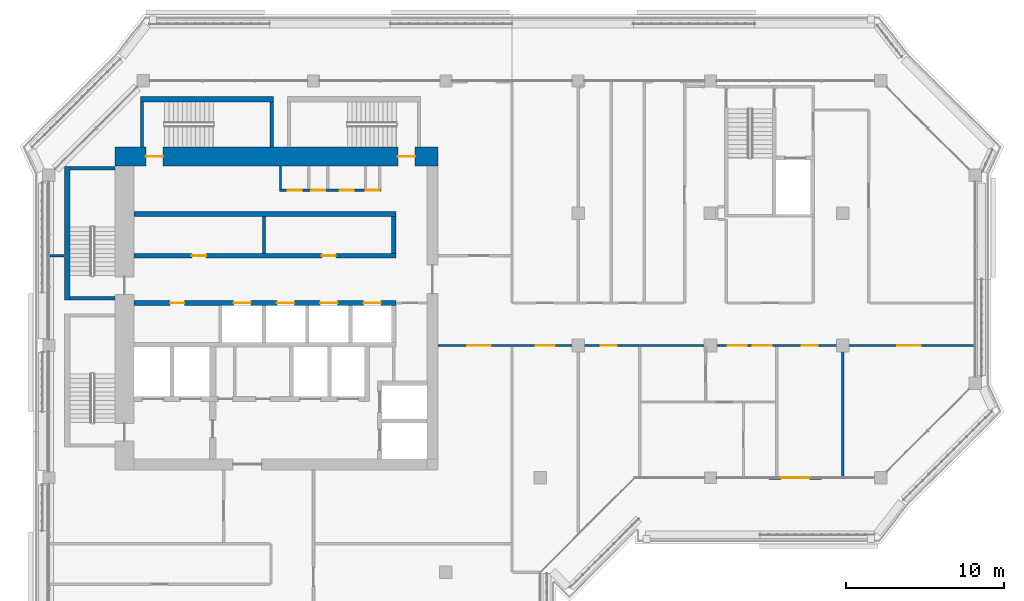
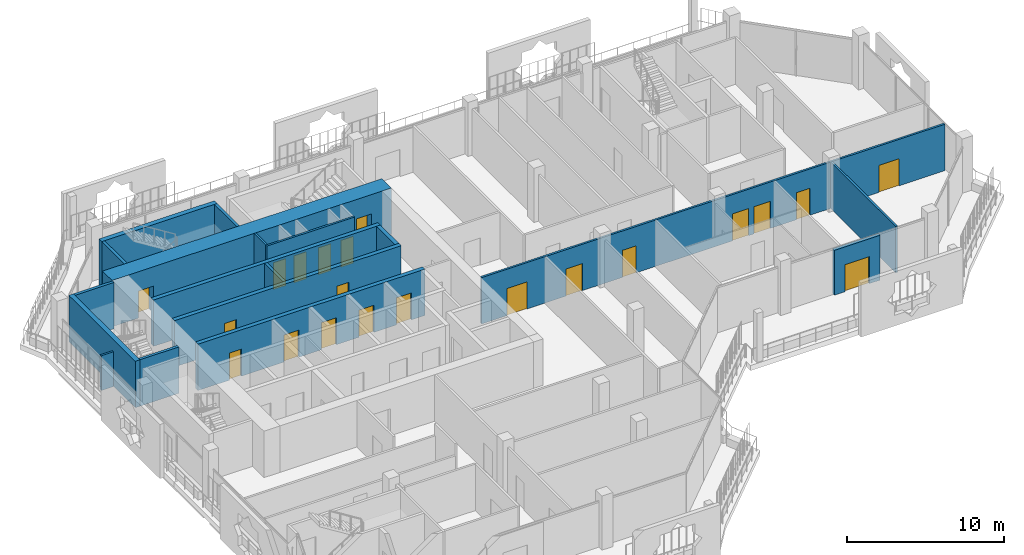
# One storey, part 12 of 21: 21 doors, 18 walls, 21 openings.
"""IFC4 building model written with IfcOpenShell, lengths in metres."""

from ifc_helpers import new_model, si_unit, direction, frame, frame_2d, origin, place, context, subcontext, project, spatial, rectangle, extrude, material, layer, layer_set, type_object, element, fill, save


model = new_model("IFC4")

# Units and contexts
model_context = context("Model", 3, precision=1e-05, world=origin(), true_north=direction((0.0, 1.0)))
body_context = subcontext(model_context, "Body", "Model", "MODEL_VIEW")
ifc_project = project(units=[si_unit("LENGTHUNIT", "METRE"), si_unit("AREAUNIT", "SQUARE_METRE"), si_unit("VOLUMEUNIT", "CUBIC_METRE"), si_unit("PLANEANGLEUNIT", "RADIAN"), si_unit("MASSUNIT", "GRAM", prefix="KILO")], contexts=[model_context])

# Site, building, storey
site_placement = place(None, origin())
site = spatial("IfcSite", under=ifc_project, at=site_placement, CompositionType="ELEMENT")
building_placement = place(site_placement, origin())
building = spatial("IfcBuilding", under=site, at=building_placement, Name="Kawkab Arch Medical Tower", CompositionType="ELEMENT")
storey_placement = place(building_placement, frame((0.0, 0.0, 319.60009765625)))
storey = spatial("IfcBuildingStorey", under=building, at=storey_placement, Name="L74", CompositionType="ELEMENT", Elevation=319.60009765625)

# Wall, openings, doors
ifc_material_1 = material(Name="Concrete C50/60", Category="concrete")
ifc_layer_1 = layer(ifc_material_1, 1.199951171875)
ifc_layer_set_1 = layer_set([ifc_layer_1], Name="Concrete C50/60")
wall_type_1 = type_object("IfcWallType", Name="Core ring wall 1200 C50/60", PredefinedType="SHEAR", material=ifc_layer_set_1)
wall_1_placement = place(storey_placement, frame((4.199951171875, -4.800048828125, 0.0), z_axis=(0.0, 0.0, 1.0), x_axis=(1.0, 0.0, 0.0)))
wall_1 = element("IfcWall", 1, at=wall_1_placement, inside=storey, type_object=wall_type_1, Name="L74 core wall", PredefinedType="SHEAR", context=body_context, shape_type="SweptSolid", body=[
    extrude(rectangle(XDim=20.5, YDim=1.199951171875, at=frame_2d((10.25, 0.0))), origin(), (0.0, 0.0, 1.0), 3.599853515625),
])
opening_1_placement = place(wall_1_placement, frame((1.949951171875, 0.0, 0.0)))
opening_1 = element("IfcOpeningElement", 2, at=opening_1_placement, cuts=wall_1, Name="Opening SD", PredefinedType="OPENING", context=body_context, shape_type="SweptSolid", body=[
    extrude(rectangle(XDim=1.10009765625, YDim=2.10009765625, at=frame_2d((0.550048828125, 1.050048828125))), frame((0.0, 0.60986328125, 0.0), z_axis=(0.0, -1.0, 0.0), x_axis=(1.0, 0.0, 0.0)), (0.0, 0.0, 1.0), 1.219970703125),
])
opening_2_placement = place(wall_1_placement, frame((17.949951171875, 0.0, 0.0)))
opening_2 = element("IfcOpeningElement", 3, at=opening_2_placement, cuts=wall_1, Name="Opening SD", PredefinedType="OPENING", context=body_context, shape_type="SweptSolid", body=[
    extrude(rectangle(XDim=1.10009765625, YDim=2.10009765625, at=frame_2d((0.550048828125, 1.050048828125))), frame((0.0, 0.60986328125, 0.0), z_axis=(0.0, -1.0, 0.0), x_axis=(1.0, 0.0, 0.0)), (0.0, 0.0, 1.0), 1.219970703125),
])
ifc_material_2 = material(Name="Hollow metal fire door leaf")
door_type_1 = type_object("IfcDoorType", Name="Exit stair door 1100", OperationType="SINGLE_SWING_LEFT", PredefinedType="DOOR", material=ifc_material_2)
door_1_placement = place(opening_1_placement, origin())
door_1 = element("IfcDoor", 4, at=door_1_placement, inside=storey, type_object=door_type_1, Name="L74 Exit stair ST3 door", OperationType="SINGLE_SWING_LEFT", OverallHeight=2.10009765625, OverallWidth=1.10009765625, PredefinedType="DOOR", context=body_context, shape_type="SweptSolid", body=[
    extrude(rectangle(XDim=1.10009765625, YDim=2.10009765625, at=frame_2d((0.550048828125, 1.050048828125))), frame((0.0, 0.02490234375, 0.0), z_axis=(0.0, -1.0, 0.0), x_axis=(1.0, 0.0, 0.0)), (0.0, 0.0, 1.0), 0.050048828125),
])
fill(opening_1, door_1)
door_2_placement = place(opening_2_placement, origin())
door_2 = element("IfcDoor", 5, at=door_2_placement, inside=storey, type_object=door_type_1, Name="L74 Exit stair ST4 door", OperationType="SINGLE_SWING_LEFT", OverallHeight=2.10009765625, OverallWidth=1.10009765625, PredefinedType="DOOR", context=body_context, shape_type="SweptSolid", body=[
    extrude(rectangle(XDim=1.10009765625, YDim=2.10009765625, at=frame_2d((0.550048828125, 1.050048828125))), frame((0.0, 0.02490234375, 0.0), z_axis=(0.0, -1.0, 0.0), x_axis=(1.0, 0.0, 0.0)), (0.0, 0.0, 1.0), 0.050048828125),
])
fill(opening_2, door_2)

ifc_material_3 = material(Name="Gypsum board on steel studs", Category="steel")
ifc_layer_2 = layer(ifc_material_3, 0.14990234375)
ifc_layer_set_2 = layer_set([ifc_layer_2], Name="Gypsum board on steel studs")
wall_type_2 = type_object("IfcWallType", Name="Core room partition 150", PredefinedType="PARTITIONING", material=ifc_layer_set_2)
wall_2_placement = place(storey_placement, frame((14.625, -6.949951171875, 0.0), z_axis=(0.0, 0.0, 1.0), x_axis=(1.0, 0.0, 0.0)))
wall_2 = element("IfcWall", 6, at=wall_2_placement, inside=storey, type_object=wall_type_2, Name="L74 core room partition", PredefinedType="PARTITIONING", context=body_context, shape_type="SweptSolid", body=[
    extrude(rectangle(XDim=6.449951171875, YDim=0.14990234375, at=frame_2d((3.22509765625, 0.0))), origin(), (0.0, 0.0, 1.0), 3.599853515625),
])
opening_3_placement = place(wall_2_placement, frame((0.52490234375, 0.0, 0.0)))
opening_3 = element("IfcOpeningElement", 7, at=opening_3_placement, cuts=wall_2, Name="Opening RD", PredefinedType="OPENING", context=body_context, shape_type="SweptSolid", body=[
    extrude(rectangle(XDim=0.89990234375, YDim=2.10009765625, at=frame_2d((0.449951171875, 1.050048828125))), frame((0.0, 0.0849609375, 0.0), z_axis=(0.0, -1.0, 0.0), x_axis=(1.0, 0.0, 0.0)), (0.0, 0.0, 1.0), 0.169921875),
])
opening_4_placement = place(wall_2_placement, frame((2.02490234375, 0.0, 0.0)))
opening_4 = element("IfcOpeningElement", 8, at=opening_4_placement, cuts=wall_2, Name="Opening RD", PredefinedType="OPENING", context=body_context, shape_type="SweptSolid", body=[
    extrude(rectangle(XDim=0.89990234375, YDim=2.10009765625, at=frame_2d((0.449951171875, 1.050048828125))), frame((0.0, 0.0849609375, 0.0), z_axis=(0.0, -1.0, 0.0), x_axis=(1.0, 0.0, 0.0)), (0.0, 0.0, 1.0), 0.169921875),
])
opening_5_placement = place(wall_2_placement, frame((3.824951171875, 0.0, 0.0)))
opening_5 = element("IfcOpeningElement", 9, at=opening_5_placement, cuts=wall_2, Name="Opening RD", PredefinedType="OPENING", context=body_context, shape_type="SweptSolid", body=[
    extrude(rectangle(XDim=0.89990234375, YDim=2.10009765625, at=frame_2d((0.449951171875, 1.050048828125))), frame((0.0, 0.0849609375, 0.0), z_axis=(0.0, -1.0, 0.0), x_axis=(1.0, 0.0, 0.0)), (0.0, 0.0, 1.0), 0.169921875),
])
opening_6_placement = place(wall_2_placement, frame((5.47509765625, 0.0, 0.0)))
opening_6 = element("IfcOpeningElement", 10, at=opening_6_placement, cuts=wall_2, Name="Opening RD", PredefinedType="OPENING", context=body_context, shape_type="SweptSolid", body=[
    extrude(rectangle(XDim=0.89990234375, YDim=2.10009765625, at=frame_2d((0.449951171875, 1.050048828125))), frame((0.0, 0.0849609375, 0.0), z_axis=(0.0, -1.0, 0.0), x_axis=(1.0, 0.0, 0.0)), (0.0, 0.0, 1.0), 0.169921875),
])
ifc_material_4 = material(Name="Hollow metal fire door leaf")
door_type_2 = type_object("IfcDoorType", Name="Core room door 900", OperationType="SINGLE_SWING_LEFT", PredefinedType="DOOR", material=ifc_material_4)
door_3_placement = place(opening_3_placement, origin())
door_3 = element("IfcDoor", 11, at=door_3_placement, inside=storey, type_object=door_type_2, Name="L74 Comms room door", OperationType="SINGLE_SWING_LEFT", OverallHeight=2.10009765625, OverallWidth=0.89990234375, PredefinedType="DOOR", context=body_context, shape_type="SweptSolid", body=[
    extrude(rectangle(XDim=0.89990234375, YDim=2.10009765625, at=frame_2d((0.449951171875, 1.050048828125))), frame((0.0, 0.02490234375, 0.0), z_axis=(0.0, -1.0, 0.0), x_axis=(1.0, 0.0, 0.0)), (0.0, 0.0, 1.0), 0.050048828125),
])
fill(opening_3, door_3)
door_4_placement = place(opening_4_placement, origin())
door_4 = element("IfcDoor", 12, at=door_4_placement, inside=storey, type_object=door_type_2, Name="L74 Electrical riser room door", OperationType="SINGLE_SWING_LEFT", OverallHeight=2.10009765625, OverallWidth=0.89990234375, PredefinedType="DOOR", context=body_context, shape_type="SweptSolid", body=[
    extrude(rectangle(XDim=0.89990234375, YDim=2.10009765625, at=frame_2d((0.449951171875, 1.050048828125))), frame((0.0, 0.02490234375, 0.0), z_axis=(0.0, -1.0, 0.0), x_axis=(1.0, 0.0, 0.0)), (0.0, 0.0, 1.0), 0.050048828125),
])
fill(opening_4, door_4)
door_5_placement = place(opening_5_placement, origin())
door_5 = element("IfcDoor", 13, at=door_5_placement, inside=storey, type_object=door_type_2, Name="L74 General store door", OperationType="SINGLE_SWING_LEFT", OverallHeight=2.10009765625, OverallWidth=0.89990234375, PredefinedType="DOOR", context=body_context, shape_type="SweptSolid", body=[
    extrude(rectangle(XDim=0.89990234375, YDim=2.10009765625, at=frame_2d((0.449951171875, 1.050048828125))), frame((0.0, 0.02490234375, 0.0), z_axis=(0.0, -1.0, 0.0), x_axis=(1.0, 0.0, 0.0)), (0.0, 0.0, 1.0), 0.050048828125),
])
fill(opening_5, door_5)
door_6_placement = place(opening_6_placement, origin())
door_6 = element("IfcDoor", 14, at=door_6_placement, inside=storey, type_object=door_type_2, Name="L74 UPS room door", OperationType="SINGLE_SWING_LEFT", OverallHeight=2.10009765625, OverallWidth=0.89990234375, PredefinedType="DOOR", context=body_context, shape_type="SweptSolid", body=[
    extrude(rectangle(XDim=0.89990234375, YDim=2.10009765625, at=frame_2d((0.449951171875, 1.050048828125))), frame((0.0, 0.02490234375, 0.0), z_axis=(0.0, -1.0, 0.0), x_axis=(1.0, 0.0, 0.0)), (0.0, 0.0, 1.0), 0.050048828125),
])
fill(opening_6, door_6)

# Walls
wall_3_placement = place(storey_placement, frame((14.699951171875, -6.875, 0.0), z_axis=(0.0, 0.0, 1.0), x_axis=(0.0, 1.0, 0.0)))
element("IfcWall", 15, at=wall_3_placement, inside=storey, type_object=wall_type_2, Name="L74 core room partition", PredefinedType="PARTITIONING", context=body_context, shape_type="SweptSolid", body=[
    extrude(rectangle(XDim=1.47509765625, YDim=0.14990234375, at=frame_2d((0.737548828125, 0.0))), origin(), (0.0, 0.0, 1.0), 3.599853515625),
])
ifc_material_5 = material(Name="Concrete C60/75", Category="concrete")
ifc_layer_3 = layer(ifc_material_5, 0.300048828125)
ifc_layer_set_3 = layer_set([ifc_layer_3], Name="Concrete C60/75")
wall_type_3 = type_object("IfcWallType", Name="Core shear wall 300 C60/75", PredefinedType="SHEAR", material=ifc_layer_set_3)
wall_4_placement = place(storey_placement, frame((5.39990234375, -8.449951171875, 0.0), z_axis=(0.0, 0.0, 1.0), x_axis=(1.0, 0.0, 0.0)))
element("IfcWall", 16, at=wall_4_placement, inside=storey, type_object=wall_type_3, Name="L74 core shear wall", PredefinedType="SHEAR", context=body_context, shape_type="SweptSolid", body=[
    extrude(rectangle(XDim=16.650146484375, YDim=0.300048828125, at=frame_2d((8.3251953125, 0.0))), origin(), (0.0, 0.0, 1.0), 3.599853515625),
])

# Wall, openings, doors
wall_5_placement = place(storey_placement, frame((5.39990234375, -11.10009765625, 0.0), z_axis=(0.0, 0.0, 1.0), x_axis=(1.0, 0.0, 0.0)))
wall_5 = element("IfcWall", 17, at=wall_5_placement, inside=storey, type_object=wall_type_3, Name="L74 core shear wall", PredefinedType="SHEAR", context=body_context, shape_type="SweptSolid", body=[
    extrude(rectangle(XDim=16.650146484375, YDim=0.300048828125, at=frame_2d((8.3251953125, 0.0))), origin(), (0.0, 0.0, 1.0), 3.599853515625),
])
opening_7_placement = place(wall_5_placement, frame((3.675048828125, 0.0, 0.0)))
opening_7 = element("IfcOpeningElement", 18, at=opening_7_placement, cuts=wall_5, Name="Opening RD", PredefinedType="OPENING", context=body_context, shape_type="SweptSolid", body=[
    extrude(rectangle(XDim=0.89990234375, YDim=2.10009765625, at=frame_2d((0.449951171875, 1.050048828125))), frame((0.0, 0.159912109375, 0.0), z_axis=(0.0, -1.0, 0.0), x_axis=(1.0, 0.0, 0.0)), (0.0, 0.0, 1.0), 0.320068359375),
])
opening_8_placement = place(wall_5_placement, frame((11.925048828125, 0.0, 0.0)))
opening_8 = element("IfcOpeningElement", 19, at=opening_8_placement, cuts=wall_5, Name="Opening RD", PredefinedType="OPENING", context=body_context, shape_type="SweptSolid", body=[
    extrude(rectangle(XDim=0.89990234375, YDim=2.10009765625, at=frame_2d((0.449951171875, 1.050048828125))), frame((0.0, 0.159912109375, 0.0), z_axis=(0.0, -1.0, 0.0), x_axis=(1.0, 0.0, 0.0)), (0.0, 0.0, 1.0), 0.320068359375),
])
door_7_placement = place(opening_7_placement, origin())
door_7 = element("IfcDoor", 20, at=door_7_placement, inside=storey, type_object=door_type_2, Name="L74 Equipment store door", OperationType="SINGLE_SWING_LEFT", OverallHeight=2.10009765625, OverallWidth=0.89990234375, PredefinedType="DOOR", context=body_context, shape_type="SweptSolid", body=[
    extrude(rectangle(XDim=0.89990234375, YDim=2.10009765625, at=frame_2d((0.449951171875, 1.050048828125))), frame((0.0, 0.02490234375, 0.0), z_axis=(0.0, -1.0, 0.0), x_axis=(1.0, 0.0, 0.0)), (0.0, 0.0, 1.0), 0.050048828125),
])
fill(opening_7, door_7)
door_8_placement = place(opening_8_placement, origin())
door_8 = element("IfcDoor", 21, at=door_8_placement, inside=storey, type_object=door_type_2, Name="L74 Clean utility room door", OperationType="SINGLE_SWING_LEFT", OverallHeight=2.10009765625, OverallWidth=0.89990234375, PredefinedType="DOOR", context=body_context, shape_type="SweptSolid", body=[
    extrude(rectangle(XDim=0.89990234375, YDim=2.10009765625, at=frame_2d((0.449951171875, 1.050048828125))), frame((0.0, 0.02490234375, 0.0), z_axis=(0.0, -1.0, 0.0), x_axis=(1.0, 0.0, 0.0)), (0.0, 0.0, 1.0), 0.050048828125),
])
fill(opening_8, door_8)

wall_6_placement = place(storey_placement, frame((5.39990234375, -14.10009765625, 0.0), z_axis=(0.0, 0.0, 1.0), x_axis=(1.0, 0.0, 0.0)))
wall_6 = element("IfcWall", 22, at=wall_6_placement, inside=storey, type_object=wall_type_3, Name="L74 core shear wall", PredefinedType="SHEAR", context=body_context, shape_type="SweptSolid", body=[
    extrude(rectangle(XDim=16.650146484375, YDim=0.300048828125, at=frame_2d((8.3251953125, 0.0))), origin(), (0.0, 0.0, 1.0), 3.599853515625),
])
opening_9_placement = place(wall_6_placement, frame((6.324951171875, 0.0, 0.0)))
opening_9 = element("IfcOpeningElement", 23, at=opening_9_placement, cuts=wall_6, Name="Opening LD1", PredefinedType="OPENING", context=body_context, shape_type="SweptSolid", body=[
    extrude(rectangle(XDim=1.10009765625, YDim=2.10009765625, at=frame_2d((0.550048828125, 1.050048828125))), frame((0.0, 0.159912109375, 0.0), z_axis=(0.0, -1.0, 0.0), x_axis=(1.0, 0.0, 0.0)), (0.0, 0.0, 1.0), 0.320068359375),
])
opening_10_placement = place(wall_6_placement, frame((9.074951171875, 0.0, 0.0)))
opening_10 = element("IfcOpeningElement", 24, at=opening_10_placement, cuts=wall_6, Name="Opening LD1", PredefinedType="OPENING", context=body_context, shape_type="SweptSolid", body=[
    extrude(rectangle(XDim=1.10009765625, YDim=2.10009765625, at=frame_2d((0.550048828125, 1.050048828125))), frame((0.0, 0.159912109375, 0.0), z_axis=(0.0, -1.0, 0.0), x_axis=(1.0, 0.0, 0.0)), (0.0, 0.0, 1.0), 0.320068359375),
])
opening_11_placement = place(wall_6_placement, frame((11.824951171875, 0.0, 0.0)))
opening_11 = element("IfcOpeningElement", 25, at=opening_11_placement, cuts=wall_6, Name="Opening LD1", PredefinedType="OPENING", context=body_context, shape_type="SweptSolid", body=[
    extrude(rectangle(XDim=1.10009765625, YDim=2.10009765625, at=frame_2d((0.550048828125, 1.050048828125))), frame((0.0, 0.159912109375, 0.0), z_axis=(0.0, -1.0, 0.0), x_axis=(1.0, 0.0, 0.0)), (0.0, 0.0, 1.0), 0.320068359375),
])
opening_12_placement = place(wall_6_placement, frame((14.574951171875, 0.0, 0.0)))
opening_12 = element("IfcOpeningElement", 26, at=opening_12_placement, cuts=wall_6, Name="Opening LD1", PredefinedType="OPENING", context=body_context, shape_type="SweptSolid", body=[
    extrude(rectangle(XDim=1.10009765625, YDim=2.10009765625, at=frame_2d((0.550048828125, 1.050048828125))), frame((0.0, 0.159912109375, 0.0), z_axis=(0.0, -1.0, 0.0), x_axis=(1.0, 0.0, 0.0)), (0.0, 0.0, 1.0), 0.320068359375),
])
opening_13_placement = place(wall_6_placement, frame((2.300048828125, 0.0, 0.0)))
opening_13 = element("IfcOpeningElement", 27, at=opening_13_placement, cuts=wall_6, Name="Opening RD", PredefinedType="OPENING", context=body_context, shape_type="SweptSolid", body=[
    extrude(rectangle(XDim=0.89990234375, YDim=2.10009765625, at=frame_2d((0.449951171875, 1.050048828125))), frame((0.0, 0.159912109375, 0.0), z_axis=(0.0, -1.0, 0.0), x_axis=(1.0, 0.0, 0.0)), (0.0, 0.0, 1.0), 0.320068359375),
])
door_9_placement = place(opening_13_placement, origin())
door_9 = element("IfcDoor", 28, at=door_9_placement, inside=storey, type_object=door_type_2, Name="L74 UPS room door", OperationType="SINGLE_SWING_LEFT", OverallHeight=2.10009765625, OverallWidth=0.89990234375, PredefinedType="DOOR", context=body_context, shape_type="SweptSolid", body=[
    extrude(rectangle(XDim=0.89990234375, YDim=2.10009765625, at=frame_2d((0.449951171875, 1.050048828125))), frame((0.0, 0.02490234375, 0.0), z_axis=(0.0, -1.0, 0.0), x_axis=(1.0, 0.0, 0.0)), (0.0, 0.0, 1.0), 0.050048828125),
])
fill(opening_13, door_9)
ifc_material_6 = material(Name="Stainless steel lift door leaf", Category="steel")
door_type_3 = type_object("IfcDoorType", Name="Lift landing door 1100", OperationType="DOUBLE_DOOR_SLIDING", PredefinedType="DOOR", material=ifc_material_6)
door_10_placement = place(opening_9_placement, origin())
door_10 = element("IfcDoor", 29, at=door_10_placement, inside=storey, type_object=door_type_3, Name="L74 Lift landing door HP1", OperationType="DOUBLE_DOOR_SLIDING", OverallHeight=2.10009765625, OverallWidth=1.10009765625, PredefinedType="DOOR", context=body_context, shape_type="SweptSolid", body=[
    extrude(rectangle(XDim=1.10009765625, YDim=2.10009765625, at=frame_2d((0.550048828125, 1.050048828125))), frame((0.0, 0.02490234375, 0.0), z_axis=(0.0, -1.0, 0.0), x_axis=(1.0, 0.0, 0.0)), (0.0, 0.0, 1.0), 0.050048828125),
])
fill(opening_9, door_10)
door_11_placement = place(opening_10_placement, origin())
door_11 = element("IfcDoor", 30, at=door_11_placement, inside=storey, type_object=door_type_3, Name="L74 Lift landing door HP2", OperationType="DOUBLE_DOOR_SLIDING", OverallHeight=2.10009765625, OverallWidth=1.10009765625, PredefinedType="DOOR", context=body_context, shape_type="SweptSolid", body=[
    extrude(rectangle(XDim=1.10009765625, YDim=2.10009765625, at=frame_2d((0.550048828125, 1.050048828125))), frame((0.0, 0.02490234375, 0.0), z_axis=(0.0, -1.0, 0.0), x_axis=(1.0, 0.0, 0.0)), (0.0, 0.0, 1.0), 0.050048828125),
])
fill(opening_10, door_11)
door_12_placement = place(opening_11_placement, origin())
door_12 = element("IfcDoor", 31, at=door_12_placement, inside=storey, type_object=door_type_3, Name="L74 Lift landing door HP3", OperationType="DOUBLE_DOOR_SLIDING", OverallHeight=2.10009765625, OverallWidth=1.10009765625, PredefinedType="DOOR", context=body_context, shape_type="SweptSolid", body=[
    extrude(rectangle(XDim=1.10009765625, YDim=2.10009765625, at=frame_2d((0.550048828125, 1.050048828125))), frame((0.0, 0.02490234375, 0.0), z_axis=(0.0, -1.0, 0.0), x_axis=(1.0, 0.0, 0.0)), (0.0, 0.0, 1.0), 0.050048828125),
])
fill(opening_11, door_12)
door_13_placement = place(opening_12_placement, origin())
door_13 = element("IfcDoor", 32, at=door_13_placement, inside=storey, type_object=door_type_3, Name="L74 Lift landing door HP4", OperationType="DOUBLE_DOOR_SLIDING", OverallHeight=2.10009765625, OverallWidth=1.10009765625, PredefinedType="DOOR", context=body_context, shape_type="SweptSolid", body=[
    extrude(rectangle(XDim=1.10009765625, YDim=2.10009765625, at=frame_2d((0.550048828125, 1.050048828125))), frame((0.0, 0.02490234375, 0.0), z_axis=(0.0, -1.0, 0.0), x_axis=(1.0, 0.0, 0.0)), (0.0, 0.0, 1.0), 0.050048828125),
])
fill(opening_12, door_13)

# Wall
wall_7_placement = place(storey_placement, frame((21.89990234375, -10.949951171875, 0.0), z_axis=(0.0, 0.0, 1.0), x_axis=(0.0, 1.0, 0.0)))
element("IfcWall", 33, at=wall_7_placement, inside=storey, type_object=wall_type_3, Name="L74 core shear wall", PredefinedType="SHEAR", context=body_context, shape_type="SweptSolid", body=[
    extrude(rectangle(XDim=2.349853515625, YDim=0.300048828125, at=frame_2d((1.1748046875, 0.0))), origin(), (0.0, 0.0, 1.0), 3.599853515625),
])

# Wall, opening, door
ifc_material_7 = material(Name="Bronze clad insulated wall panel")
ifc_layer_4 = layer(ifc_material_7, 0.25)
ifc_layer_set_4 = layer_set([ifc_layer_4], Name="Bronze clad insulated wall panel")
wall_type_4 = type_object("IfcWallType", Name="External wall bay 250", PredefinedType="SOLIDWALL", material=ifc_layer_set_4)
wall_8_placement = place(storey_placement, frame((45.716552734375, -25.199951171875, 0.0), z_axis=(0.0, 0.0, 1.0), x_axis=(1.0, 0.0, 0.0)))
wall_8 = element("IfcWall", 34, at=wall_8_placement, inside=storey, type_object=wall_type_4, Name="External wall bay L74.R11.2.2", PredefinedType="SOLIDWALL", context=body_context, shape_type="SweptSolid", body=[
    extrude(rectangle(XDim=3.341796875, YDim=0.25, at=frame_2d((1.6708984375, 0.0))), origin(), (0.0, 0.0, 1.0), 3.47998046875),
])
opening_14_placement = place(wall_8_placement, frame((0.770751953125, 0.0, 0.0)))
opening_14 = element("IfcOpeningElement", 35, at=opening_14_placement, cuts=wall_8, Name="Opening W69-701", PredefinedType="OPENING", context=body_context, shape_type="SweptSolid", body=[
    extrude(rectangle(XDim=1.800048828125, YDim=2.10009765625, at=frame_2d((0.89990234375, 1.050048828125))), frame((0.0, 0.135009765625, 0.0), z_axis=(0.0, -1.0, 0.0), x_axis=(1.0, 0.0, 0.0)), (0.0, 0.0, 1.0), 0.27001953125),
])
ifc_material_8 = material(Name="Bronze anodised aluminium door with tinted glass", Category="aluminium")
door_type_4 = type_object("IfcDoorType", Name="Double external door 1800 x 2100", OperationType="DOUBLE_DOOR_SINGLE_SWING", PredefinedType="DOOR", material=ifc_material_8)
door_14_placement = place(opening_14_placement, origin())
door_14 = element("IfcDoor", 36, at=door_14_placement, inside=storey, type_object=door_type_4, Name="External door L74.R11.2.2", OperationType="DOUBLE_DOOR_SINGLE_SWING", OverallHeight=2.10009765625, OverallWidth=1.800048828125, PredefinedType="DOOR", context=body_context, shape_type="SweptSolid", body=[
    extrude(rectangle(XDim=1.800048828125, YDim=2.10009765625, at=frame_2d((0.89990234375, 1.050048828125))), frame((0.0, 0.02490234375, 0.0), z_axis=(0.0, -1.0, 0.0), x_axis=(1.0, 0.0, 0.0)), (0.0, 0.0, 1.0), 0.050048828125),
])
fill(opening_14, door_14)

# Wall
ifc_material_9 = material(Name="Dense concrete blockwork", Category="masonry")
ifc_layer_5 = layer(ifc_material_9, 0.199951171875)
ifc_layer_set_5 = layer_set([ifc_layer_5], Name="Dense concrete blockwork")
wall_type_5 = type_object("IfcWallType", Name="Lift shaft partition 200", PredefinedType="PARTITIONING", material=ifc_layer_set_5)
wall_9_placement = place(storey_placement, frame((13.64990234375, -10.949951171875, 0.0), z_axis=(0.0, 0.0, 1.0), x_axis=(0.0, 1.0, 0.0)))
element("IfcWall", 37, at=wall_9_placement, inside=storey, type_object=wall_type_5, Name="L74 lift shaft partition", PredefinedType="PARTITIONING", context=body_context, shape_type="SweptSolid", body=[
    extrude(rectangle(XDim=2.349853515625, YDim=0.199951171875, at=frame_2d((1.1748046875, 0.0))), origin(), (0.0, 0.0, 1.0), 3.599853515625),
])

# Wall, openings, doors
ifc_material_10 = material(Name="Gypsum board partition on steel studs, mineral wool", Category="steel")
ifc_layer_6 = layer(ifc_material_10, 0.14990234375)
ifc_layer_set_6 = layer_set([ifc_layer_6], Name="Gypsum board partition on steel studs, mineral wool")
wall_type_6 = type_object("IfcWallType", Name="Partition 150", PredefinedType="PARTITIONING", material=ifc_layer_set_6)
wall_10_placement = place(storey_placement, frame((24.699951171875, -16.800048828125, 0.0), z_axis=(0.0, 0.0, 1.0), x_axis=(1.0, 0.0, 0.0)))
wall_10 = element("IfcWall", 38, at=wall_10_placement, inside=storey, type_object=wall_type_6, Name="Partition 150 w012", PredefinedType="PARTITIONING", context=body_context, shape_type="SweptSolid", body=[
    extrude(rectangle(XDim=34.02001953125, YDim=0.14990234375, at=frame_2d((17.010009765625, 0.0))), origin(), (0.0, 0.0, 1.0), 3.599853515625),
])
opening_15_placement = place(wall_10_placement, frame((1.85009765625, 0.0, 0.0)))
opening_15 = element("IfcOpeningElement", 39, at=opening_15_placement, cuts=wall_10, Name="Opening W69-001", PredefinedType="OPENING", context=body_context, shape_type="SweptSolid", body=[
    extrude(rectangle(XDim=1.5, YDim=2.10009765625, at=frame_2d((0.75, 1.050048828125))), frame((0.0, 0.0849609375, 0.0), z_axis=(0.0, -1.0, 0.0), x_axis=(1.0, 0.0, 0.0)), (0.0, 0.0, 1.0), 0.169921875),
])
opening_16_placement = place(wall_10_placement, frame((6.199951171875, 0.0, 0.0)))
opening_16 = element("IfcOpeningElement", 40, at=opening_16_placement, cuts=wall_10, Name="Opening W69-019", PredefinedType="OPENING", context=body_context, shape_type="SweptSolid", body=[
    extrude(rectangle(XDim=1.199951171875, YDim=2.10009765625, at=frame_2d((0.60009765625, 1.050048828125))), frame((0.0, 0.0849609375, 0.0), z_axis=(0.0, -1.0, 0.0), x_axis=(1.0, 0.0, 0.0)), (0.0, 0.0, 1.0), 0.169921875),
])
opening_17_placement = place(wall_10_placement, frame((10.35009765625, 0.0, 0.0)))
opening_17 = element("IfcOpeningElement", 41, at=opening_17_placement, cuts=wall_10, Name="Opening W69-012", PredefinedType="OPENING", context=body_context, shape_type="SweptSolid", body=[
    extrude(rectangle(XDim=1.0, YDim=2.10009765625, at=frame_2d((0.5, 1.050048828125))), frame((0.0, 0.0849609375, 0.0), z_axis=(0.0, -1.0, 0.0), x_axis=(1.0, 0.0, 0.0)), (0.0, 0.0, 1.0), 0.169921875),
])
opening_18_placement = place(wall_10_placement, frame((20.0, 0.0, 0.0)))
opening_18 = element("IfcOpeningElement", 42, at=opening_18_placement, cuts=wall_10, Name="Opening W69-020", PredefinedType="OPENING", context=body_context, shape_type="SweptSolid", body=[
    extrude(rectangle(XDim=1.199951171875, YDim=2.10009765625, at=frame_2d((0.60009765625, 1.050048828125))), frame((0.0, 0.0849609375, 0.0), z_axis=(0.0, -1.0, 0.0), x_axis=(1.0, 0.0, 0.0)), (0.0, 0.0, 1.0), 0.169921875),
])
opening_19_placement = place(wall_10_placement, frame((18.39990234375, 0.0, 0.0)))
opening_19 = element("IfcOpeningElement", 43, at=opening_19_placement, cuts=wall_10, Name="Opening W69-021", PredefinedType="OPENING", context=body_context, shape_type="SweptSolid", body=[
    extrude(rectangle(XDim=1.199951171875, YDim=2.10009765625, at=frame_2d((0.60009765625, 1.050048828125))), frame((0.0, 0.0849609375, 0.0), z_axis=(0.0, -1.0, 0.0), x_axis=(1.0, 0.0, 0.0)), (0.0, 0.0, 1.0), 0.169921875),
])
opening_20_placement = place(wall_10_placement, frame((23.10009765625, 0.0, 0.0)))
opening_20 = element("IfcOpeningElement", 44, at=opening_20_placement, cuts=wall_10, Name="Opening W69-013", PredefinedType="OPENING", context=body_context, shape_type="SweptSolid", body=[
    extrude(rectangle(XDim=1.0, YDim=2.10009765625, at=frame_2d((0.5, 1.050048828125))), frame((0.0, 0.0849609375, 0.0), z_axis=(0.0, -1.0, 0.0), x_axis=(1.0, 0.0, 0.0)), (0.0, 0.0, 1.0), 0.169921875),
])
opening_21_placement = place(wall_10_placement, frame((29.14990234375, 0.0, 0.0)))
opening_21 = element("IfcOpeningElement", 45, at=opening_21_placement, cuts=wall_10, Name="Opening W69-003", PredefinedType="OPENING", context=body_context, shape_type="SweptSolid", body=[
    extrude(rectangle(XDim=1.5, YDim=2.10009765625, at=frame_2d((0.75, 1.050048828125))), frame((0.0, 0.0849609375, 0.0), z_axis=(0.0, -1.0, 0.0), x_axis=(1.0, 0.0, 0.0)), (0.0, 0.0, 1.0), 0.169921875),
])
ifc_material_11 = material(Name="Hollow metal door leaf")
door_type_5 = type_object("IfcDoorType", Name="Double door 1500x2100 FD30S", OperationType="NOTDEFINED", PredefinedType="DOOR", material=ifc_material_11)
door_15_placement = place(opening_15_placement, origin())
door_15 = element("IfcDoor", 46, at=door_15_placement, inside=storey, type_object=door_type_5, Name="Door W69-001", OperationType="DOUBLE_DOOR_SINGLE_SWING", OverallHeight=2.10009765625, OverallWidth=1.5, PredefinedType="DOOR", context=body_context, shape_type="SweptSolid", body=[
    extrude(rectangle(XDim=1.5, YDim=2.10009765625, at=frame_2d((0.75, 1.050048828125))), frame((0.0, 0.02490234375, 0.0), z_axis=(0.0, -1.0, 0.0), x_axis=(1.0, 0.0, 0.0)), (0.0, 0.0, 1.0), 0.050048828125),
])
fill(opening_15, door_15)
door_16_placement = place(opening_21_placement, origin())
door_16 = element("IfcDoor", 47, at=door_16_placement, inside=storey, type_object=door_type_5, Name="Door W69-003", OperationType="DOUBLE_DOOR_SINGLE_SWING", OverallHeight=2.10009765625, OverallWidth=1.5, PredefinedType="DOOR", context=body_context, shape_type="SweptSolid", body=[
    extrude(rectangle(XDim=1.5, YDim=2.10009765625, at=frame_2d((0.75, 1.050048828125))), frame((0.0, 0.02490234375, 0.0), z_axis=(0.0, -1.0, 0.0), x_axis=(1.0, 0.0, 0.0)), (0.0, 0.0, 1.0), 0.050048828125),
])
fill(opening_21, door_16)
ifc_material_12 = material(Name="Hollow metal door leaf")
door_type_6 = type_object("IfcDoorType", Name="Single door 1000x2100 FD30S", OperationType="NOTDEFINED", PredefinedType="DOOR", material=ifc_material_12)
door_17_placement = place(opening_17_placement, origin())
door_17 = element("IfcDoor", 48, at=door_17_placement, inside=storey, type_object=door_type_6, Name="Door W69-012", OperationType="SINGLE_SWING_RIGHT", OverallHeight=2.10009765625, OverallWidth=1.0, PredefinedType="DOOR", context=body_context, shape_type="SweptSolid", body=[
    extrude(rectangle(XDim=1.0, YDim=2.10009765625, at=frame_2d((0.5, 1.050048828125))), frame((0.0, 0.02490234375, 0.0), z_axis=(0.0, -1.0, 0.0), x_axis=(1.0, 0.0, 0.0)), (0.0, 0.0, 1.0), 0.050048828125),
])
fill(opening_17, door_17)
door_18_placement = place(opening_20_placement, origin())
door_18 = element("IfcDoor", 49, at=door_18_placement, inside=storey, type_object=door_type_6, Name="Door W69-013", OperationType="SINGLE_SWING_LEFT", OverallHeight=2.10009765625, OverallWidth=1.0, PredefinedType="DOOR", context=body_context, shape_type="SweptSolid", body=[
    extrude(rectangle(XDim=1.0, YDim=2.10009765625, at=frame_2d((0.5, 1.050048828125))), frame((0.0, 0.02490234375, 0.0), z_axis=(0.0, -1.0, 0.0), x_axis=(1.0, 0.0, 0.0)), (0.0, 0.0, 1.0), 0.050048828125),
])
fill(opening_20, door_18)
ifc_material_13 = material(Name="Hollow metal door leaf")
door_type_7 = type_object("IfcDoorType", Name="Single door 1200x2100 FD30S", OperationType="NOTDEFINED", PredefinedType="DOOR", material=ifc_material_13)
door_19_placement = place(opening_16_placement, origin())
door_19 = element("IfcDoor", 50, at=door_19_placement, inside=storey, type_object=door_type_7, Name="Door W69-019", OperationType="SINGLE_SWING_RIGHT", OverallHeight=2.10009765625, OverallWidth=1.199951171875, PredefinedType="DOOR", context=body_context, shape_type="SweptSolid", body=[
    extrude(rectangle(XDim=1.199951171875, YDim=2.10009765625, at=frame_2d((0.60009765625, 1.050048828125))), frame((0.0, 0.02490234375, 0.0), z_axis=(0.0, -1.0, 0.0), x_axis=(1.0, 0.0, 0.0)), (0.0, 0.0, 1.0), 0.050048828125),
])
fill(opening_16, door_19)
door_20_placement = place(opening_18_placement, origin())
door_20 = element("IfcDoor", 51, at=door_20_placement, inside=storey, type_object=door_type_7, Name="Door W69-020", OperationType="SINGLE_SWING_LEFT", OverallHeight=2.10009765625, OverallWidth=1.199951171875, PredefinedType="DOOR", context=body_context, shape_type="SweptSolid", body=[
    extrude(rectangle(XDim=1.199951171875, YDim=2.10009765625, at=frame_2d((0.60009765625, 1.050048828125))), frame((0.0, 0.02490234375, 0.0), z_axis=(0.0, -1.0, 0.0), x_axis=(1.0, 0.0, 0.0)), (0.0, 0.0, 1.0), 0.050048828125),
])
fill(opening_18, door_20)
door_21_placement = place(opening_19_placement, origin())
door_21 = element("IfcDoor", 52, at=door_21_placement, inside=storey, type_object=door_type_7, Name="Door W69-021", OperationType="SINGLE_SWING_LEFT", OverallHeight=2.10009765625, OverallWidth=1.199951171875, PredefinedType="DOOR", context=body_context, shape_type="SweptSolid", body=[
    extrude(rectangle(XDim=1.199951171875, YDim=2.10009765625, at=frame_2d((0.60009765625, 1.050048828125))), frame((0.0, 0.02490234375, 0.0), z_axis=(0.0, -1.0, 0.0), x_axis=(1.0, 0.0, 0.0)), (0.0, 0.0, 1.0), 0.050048828125),
])
fill(opening_19, door_21)

# Walls
wall_11_placement = place(storey_placement, frame((0.080078125, -11.10009765625, 0.0), z_axis=(0.0, 0.0, 1.0), x_axis=(1.0, 0.0, 0.0)))
element("IfcWall", 53, at=wall_11_placement, inside=storey, type_object=wall_type_6, Name="Partition 150 w016", PredefinedType="PARTITIONING", context=body_context, shape_type="SweptSolid", body=[
    extrude(rectangle(XDim=0.889892578125, YDim=0.14990234375, at=frame_2d((0.44482421875, 0.0))), origin(), (0.0, 0.0, 1.0), 2.699951171875),
])
wall_12_placement = place(storey_placement, frame((50.39990234375, -25.1201171875, 0.0), z_axis=(0.0, 0.0, 1.0), x_axis=(0.0, 1.0, 0.0)))
element("IfcWall", 54, at=wall_12_placement, inside=storey, type_object=wall_type_6, Name="Partition 150 w044", PredefinedType="PARTITIONING", context=body_context, shape_type="SweptSolid", body=[
    extrude(rectangle(XDim=8.2451171875, YDim=0.14990234375, at=frame_2d((4.12255859375, 0.0))), origin(), (0.0, 0.0, 1.0), 3.599853515625),
])
ifc_material_14 = material(Name="Concrete C50/60", Category="concrete")
ifc_layer_7 = layer(ifc_material_14, 0.199951171875)
ifc_layer_set_7 = layer_set([ifc_layer_7], Name="Concrete C50/60")
wall_type_7 = type_object("IfcWallType", Name="Stair enclosure wall 200 C50/60", PredefinedType="SHEAR", material=ifc_layer_set_7)
for number, where, z_axis, x_axis, name in (
    (55, (1.35009765625, -5.550048828125, 0.0), (0.0, 0.0, 1.0), (1.0, 0.0, 0.0), "L74 stair enclosure wall"),
    (56, (1.35009765625, -13.800048828125, 0.0), (0.0, 0.0, 1.0), (1.0, 0.0, 0.0), "L74 stair enclosure wall"),
    (57, (5.89990234375, -4.199951171875, 0.0), (0.0, 0.0, 1.0), (0.0, 1.0, 0.0), "L74 stair enclosure wall"),
    (58, (14.14990234375, -4.199951171875, 0.0), (0.0, 0.0, 1.0), (0.0, 1.0, 0.0), "L74 stair enclosure wall"),
):
    element("IfcWall", number, at=place(storey_placement, frame(where, z_axis=z_axis, x_axis=x_axis)), inside=storey, type_object=wall_type_7, Name=name, PredefinedType="SHEAR", context=body_context, shape_type="SweptSolid", body=[
        extrude(rectangle(XDim=2.849853515625, YDim=0.199951171875, at=frame_2d((1.4248046875, 0.0))), origin(), (0.0, 0.0, 1.0), 3.599853515625),
    ])
ifc_material_15 = material(Name="Concrete C50/60", Category="concrete")
ifc_layer_8 = layer(ifc_material_15, 0.35009765625)
ifc_layer_set_8 = layer_set([ifc_layer_8], Name="Concrete C50/60")
wall_type_8 = type_object("IfcWallType", Name="Stair enclosure wall 350 C50/60", PredefinedType="SHEAR", material=ifc_layer_set_8)
for number, where, z_axis, x_axis, name in (
    (59, (1.175048828125, -13.89990234375, 0.0), (0.0, 0.0, 1.0), (0.0, 1.0, 0.0), "L74 stair enclosure wall"),
    (60, (5.800048828125, -1.175048828125, 0.0), (0.0, 0.0, 1.0), (1.0, 0.0, 0.0), "L74 stair enclosure wall"),
):
    element("IfcWall", number, at=place(storey_placement, frame(where, z_axis=z_axis, x_axis=x_axis)), inside=storey, type_object=wall_type_8, Name=name, PredefinedType="SHEAR", context=body_context, shape_type="SweptSolid", body=[
        extrude(rectangle(XDim=8.449951171875, YDim=0.35009765625, at=frame_2d((4.22509765625, 0.0))), origin(), (0.0, 0.0, 1.0), 3.599853515625),
    ])

save(model, "model.ifc")
